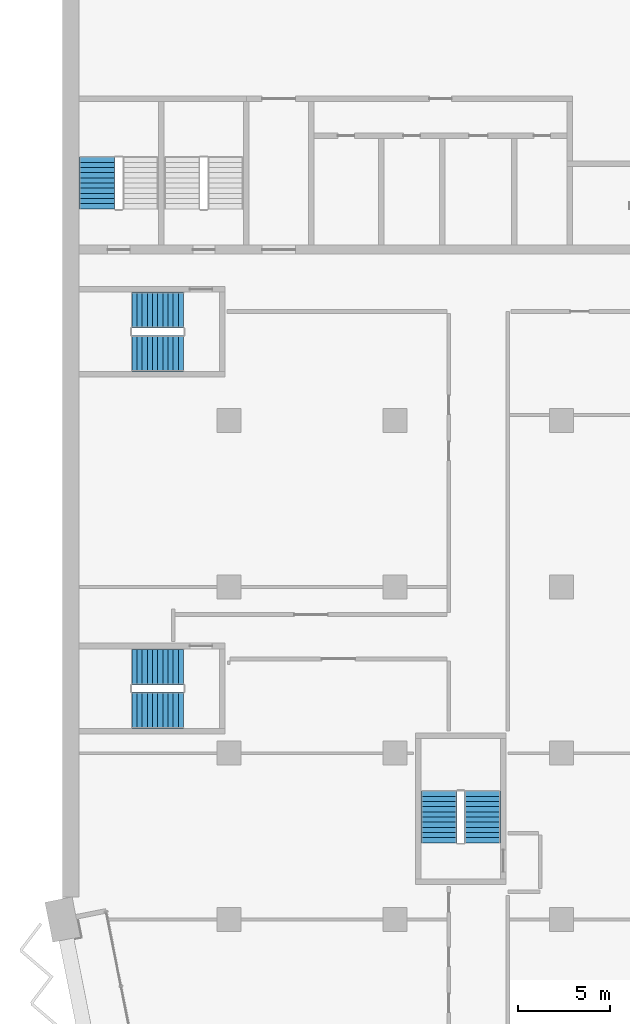
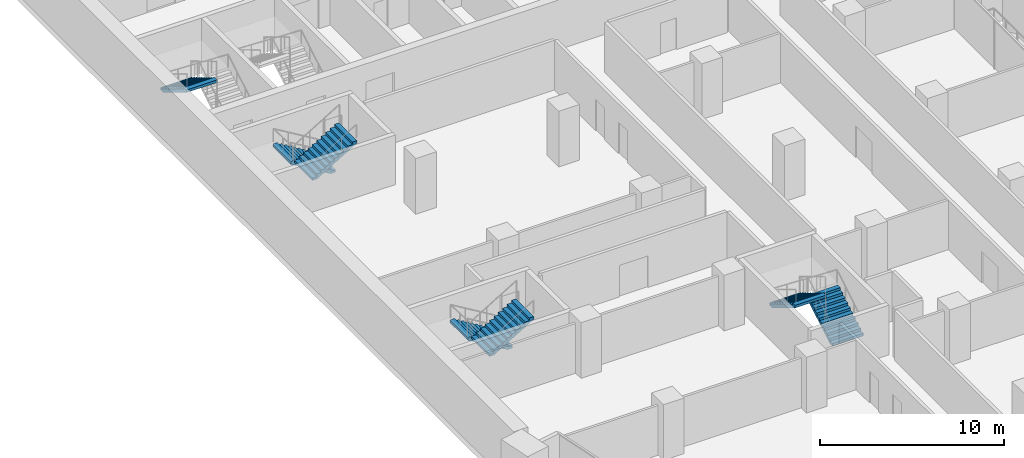
# One storey, part 16 of 23: 7 stair flights, 4 elements without a shape of their own.
"""IFC4 building model written with IfcOpenShell, lengths in metres."""

from ifc_helpers import new_model, si_unit, direction, frame, origin, place, context, subcontext, project, spatial, polyline, outline, extrude, material, type_object, element, aggregate, save


model = new_model("IFC4")

# Units and contexts
model_context = context("Model", 3, precision=1e-05, world=origin(), true_north=direction((0.0, 1.0)))
body_context = subcontext(model_context, "Body", "Model", "MODEL_VIEW")
ifc_project = project(units=[si_unit("LENGTHUNIT", "METRE"), si_unit("AREAUNIT", "SQUARE_METRE"), si_unit("VOLUMEUNIT", "CUBIC_METRE"), si_unit("PLANEANGLEUNIT", "RADIAN"), si_unit("MASSUNIT", "GRAM", prefix="KILO")], contexts=[model_context])

# Site, building, storey
site_placement = place(None, origin())
site = spatial("IfcSite", under=ifc_project, at=site_placement, CompositionType="ELEMENT")
building_placement = place(site_placement, origin())
building = spatial("IfcBuilding", under=site, at=building_placement, Name="Hunhe Ridgeline Campus", CompositionType="ELEMENT")
storey_placement = place(building_placement, frame((0.0, 0.0, 99.60009765625)))
storey = spatial("IfcBuildingStorey", under=building, at=storey_placement, Name="L24", CompositionType="ELEMENT", Elevation=99.60009765625)

# Stair, stair flight
ifc_material = material(Name="Concrete C40", Category="concrete")
stair_type = type_object("IfcStairType", Name="Reinforced concrete dog-leg stair 1950 Concrete C40", PredefinedType="HALF_TURN_STAIR", material=ifc_material)
stair_1_placement = place(storey_placement, origin())
stair_1 = element("IfcStair", 1, at=stair_1_placement, inside=storey, type_object=stair_type, Name="L24 S3", PredefinedType="HALF_TURN_STAIR")
stair_flight_type = type_object("IfcStairFlightType", Name="Reinforced concrete stair flight 1950 Concrete C40", PredefinedType="STRAIGHT", material=ifc_material)
stair_flight_1_placement = place(storey_placement, frame((1.875, 68.25, 1.849853515625), z_axis=(0.0, 0.0, 1.0), x_axis=(0.0, -1.0, 0.0)))
stair_flight_1 = element("IfcStairFlight", 2, at=stair_flight_1_placement, type_object=stair_flight_type, Name="ST3 flight 2", NumberOfRisers=11, NumberOfTreads=10, PredefinedType="STRAIGHT", RiserHeight=0.168181818, TreadLength=0.28, context=body_context, shape_type="SweptSolid", body=[
    extrude(outline(polyline([(0.0, 0.0), (0.0, 0.168212890625), (0.280029296875, 0.168212890625), (0.280029296875, 0.33642578125), (0.56005859375, 0.33642578125), (0.56005859375, 0.504638671875), (0.840087890625, 0.504638671875), (0.840087890625, 0.672607421875), (1.1201171875, 0.672607421875), (1.1201171875, 0.8408203125), (1.39990234375, 0.8408203125), (1.39990234375, 1.009033203125), (1.679931640625, 1.009033203125), (1.679931640625, 1.17724609375), (1.9599609375, 1.17724609375), (1.9599609375, 1.345458984375), (2.239990234375, 1.345458984375), (2.239990234375, 1.513671875), (2.52001953125, 1.513671875), (2.52001953125, 1.681884765625), (2.800048828125, 1.681884765625), (2.800048828125, 1.85009765625), (2.800048828125, 1.5068359375), (0.291015625, 0.0), (0.0, 0.0)])), frame((0.0, 0.97509765625, 0.0), z_axis=(0.0, -1.0, 0.0), x_axis=(1.0, 0.0, 0.0)), (0.0, 0.0, 1.0), 1.949951171875),
    extrude(outline(polyline([(0.030029296875, 0.030029296875), (0.030029296875, 0.13818359375), (0.31005859375, 0.13818359375), (0.31005859375, 0.306396484375), (0.590087890625, 0.306396484375), (0.590087890625, 0.474609375), (0.8701171875, 0.474609375), (0.8701171875, 0.642578125), (1.14990234375, 0.642578125), (1.14990234375, 0.810791015625), (1.429931640625, 0.810791015625), (1.429931640625, 0.97900390625), (1.7099609375, 0.97900390625), (1.7099609375, 1.147216796875), (1.989990234375, 1.147216796875), (1.989990234375, 1.3154296875), (2.27001953125, 1.3154296875), (2.27001953125, 1.483642578125), (2.550048828125, 1.483642578125), (2.550048828125, 1.65185546875), (2.77001953125, 1.65185546875), (2.77001953125, 1.52392578125), (0.28271484375, 0.030029296875), (0.030029296875, 0.030029296875)])), frame((0.0, -0.070068359375, 0.0), z_axis=(0.0, -1.0, 0.0), x_axis=(1.0, 0.0, 0.0)), (0.0, 0.0, 1.0), 0.019775390625),
    extrude(outline(polyline([(0.030029296875, 0.030029296875), (0.030029296875, 0.13818359375), (0.31005859375, 0.13818359375), (0.31005859375, 0.306396484375), (0.590087890625, 0.306396484375), (0.590087890625, 0.474609375), (0.8701171875, 0.474609375), (0.8701171875, 0.642578125), (1.14990234375, 0.642578125), (1.14990234375, 0.810791015625), (1.429931640625, 0.810791015625), (1.429931640625, 0.97900390625), (1.7099609375, 0.97900390625), (1.7099609375, 1.147216796875), (1.989990234375, 1.147216796875), (1.989990234375, 1.3154296875), (2.27001953125, 1.3154296875), (2.27001953125, 1.483642578125), (2.550048828125, 1.483642578125), (2.550048828125, 1.65185546875), (2.77001953125, 1.65185546875), (2.77001953125, 1.52392578125), (0.28271484375, 0.030029296875), (0.030029296875, 0.030029296875)])), frame((0.0, 0.010009765625, 0.0), z_axis=(0.0, -1.0, 0.0), x_axis=(1.0, 0.0, 0.0)), (0.0, 0.0, 1.0), 0.019775390625),
    extrude(outline(polyline([(0.030029296875, 0.030029296875), (0.030029296875, 0.13818359375), (0.31005859375, 0.13818359375), (0.31005859375, 0.306396484375), (0.590087890625, 0.306396484375), (0.590087890625, 0.474609375), (0.8701171875, 0.474609375), (0.8701171875, 0.642578125), (1.14990234375, 0.642578125), (1.14990234375, 0.810791015625), (1.429931640625, 0.810791015625), (1.429931640625, 0.97900390625), (1.7099609375, 0.97900390625), (1.7099609375, 1.147216796875), (1.989990234375, 1.147216796875), (1.989990234375, 1.3154296875), (2.27001953125, 1.3154296875), (2.27001953125, 1.483642578125), (2.550048828125, 1.483642578125), (2.550048828125, 1.65185546875), (2.77001953125, 1.65185546875), (2.77001953125, 1.52392578125), (0.28271484375, 0.030029296875), (0.030029296875, 0.030029296875)])), frame((0.0, 0.090087890625, 0.0), z_axis=(0.0, -1.0, 0.0), x_axis=(1.0, 0.0, 0.0)), (0.0, 0.0, 1.0), 0.019775390625),
])
aggregate(stair_1, [stair_flight_1])

# Stair, stair flights
stair_2_placement = place(storey_placement, origin())
stair_2 = element("IfcStair", 3, at=stair_2_placement, inside=storey, type_object=stair_type, Name="L24 W3", PredefinedType="HALF_TURN_STAIR")
stair_flight_2_placement = place(storey_placement, frame((22.72509765625, 31.14990234375, 0.0), z_axis=(0.0, 0.0, 1.0), x_axis=(0.0, 1.0, 0.0)))
stair_flight_2 = element("IfcStairFlight", 4, at=stair_flight_2_placement, type_object=stair_flight_type, Name="ST9 flight 1", NumberOfRisers=11, NumberOfTreads=10, PredefinedType="STRAIGHT", RiserHeight=0.168181818, TreadLength=0.28, context=body_context, shape_type="SweptSolid", body=[
    extrude(outline(polyline([(0.0, 0.0), (0.0, 0.168212890625), (0.280029296875, 0.168212890625), (0.280029296875, 0.33642578125), (0.56005859375, 0.33642578125), (0.56005859375, 0.504638671875), (0.840087890625, 0.504638671875), (0.840087890625, 0.672607421875), (1.1201171875, 0.672607421875), (1.1201171875, 0.8408203125), (1.39990234375, 0.8408203125), (1.39990234375, 1.009033203125), (1.679931640625, 1.009033203125), (1.679931640625, 1.17724609375), (1.9599609375, 1.17724609375), (1.9599609375, 1.345458984375), (2.239990234375, 1.345458984375), (2.239990234375, 1.513671875), (2.52001953125, 1.513671875), (2.52001953125, 1.681884765625), (2.800048828125, 1.681884765625), (2.800048828125, 1.85009765625), (2.800048828125, 1.5068359375), (0.291015625, 0.0), (0.0, 0.0)])), frame((0.0, 0.97509765625, 0.0), z_axis=(0.0, -1.0, 0.0), x_axis=(1.0, 0.0, 0.0)), (0.0, 0.0, 1.0), 1.949951171875),
    extrude(outline(polyline([(0.030029296875, 0.030029296875), (0.030029296875, 0.13818359375), (0.31005859375, 0.13818359375), (0.31005859375, 0.306396484375), (0.590087890625, 0.306396484375), (0.590087890625, 0.474609375), (0.8701171875, 0.474609375), (0.8701171875, 0.642578125), (1.14990234375, 0.642578125), (1.14990234375, 0.810791015625), (1.429931640625, 0.810791015625), (1.429931640625, 0.97900390625), (1.7099609375, 0.97900390625), (1.7099609375, 1.147216796875), (1.989990234375, 1.147216796875), (1.989990234375, 1.3154296875), (2.27001953125, 1.3154296875), (2.27001953125, 1.483642578125), (2.550048828125, 1.483642578125), (2.550048828125, 1.65185546875), (2.77001953125, 1.65185546875), (2.77001953125, 1.52392578125), (0.28271484375, 0.030029296875), (0.030029296875, 0.030029296875)])), frame((0.0, -0.070068359375, 0.0), z_axis=(0.0, -1.0, 0.0), x_axis=(1.0, 0.0, 0.0)), (0.0, 0.0, 1.0), 0.019775390625),
    extrude(outline(polyline([(0.030029296875, 0.030029296875), (0.030029296875, 0.13818359375), (0.31005859375, 0.13818359375), (0.31005859375, 0.306396484375), (0.590087890625, 0.306396484375), (0.590087890625, 0.474609375), (0.8701171875, 0.474609375), (0.8701171875, 0.642578125), (1.14990234375, 0.642578125), (1.14990234375, 0.810791015625), (1.429931640625, 0.810791015625), (1.429931640625, 0.97900390625), (1.7099609375, 0.97900390625), (1.7099609375, 1.147216796875), (1.989990234375, 1.147216796875), (1.989990234375, 1.3154296875), (2.27001953125, 1.3154296875), (2.27001953125, 1.483642578125), (2.550048828125, 1.483642578125), (2.550048828125, 1.65185546875), (2.77001953125, 1.65185546875), (2.77001953125, 1.52392578125), (0.28271484375, 0.030029296875), (0.030029296875, 0.030029296875)])), frame((0.0, 0.010009765625, 0.0), z_axis=(0.0, -1.0, 0.0), x_axis=(1.0, 0.0, 0.0)), (0.0, 0.0, 1.0), 0.019775390625),
    extrude(outline(polyline([(0.030029296875, 0.030029296875), (0.030029296875, 0.13818359375), (0.31005859375, 0.13818359375), (0.31005859375, 0.306396484375), (0.590087890625, 0.306396484375), (0.590087890625, 0.474609375), (0.8701171875, 0.474609375), (0.8701171875, 0.642578125), (1.14990234375, 0.642578125), (1.14990234375, 0.810791015625), (1.429931640625, 0.810791015625), (1.429931640625, 0.97900390625), (1.7099609375, 0.97900390625), (1.7099609375, 1.147216796875), (1.989990234375, 1.147216796875), (1.989990234375, 1.3154296875), (2.27001953125, 1.3154296875), (2.27001953125, 1.483642578125), (2.550048828125, 1.483642578125), (2.550048828125, 1.65185546875), (2.77001953125, 1.65185546875), (2.77001953125, 1.52392578125), (0.28271484375, 0.030029296875), (0.030029296875, 0.030029296875)])), frame((0.0, 0.090087890625, 0.0), z_axis=(0.0, -1.0, 0.0), x_axis=(1.0, 0.0, 0.0)), (0.0, 0.0, 1.0), 0.019775390625),
])
stair_flight_3_placement = place(storey_placement, frame((20.375, 33.949951171875, 1.849853515625), z_axis=(0.0, 0.0, 1.0), x_axis=(0.0, -1.0, 0.0)))
stair_flight_3 = element("IfcStairFlight", 5, at=stair_flight_3_placement, type_object=stair_flight_type, Name="ST9 flight 2", NumberOfRisers=11, NumberOfTreads=10, PredefinedType="STRAIGHT", RiserHeight=0.168181818, TreadLength=0.28, context=body_context, shape_type="SweptSolid", body=[
    extrude(outline(polyline([(0.0, 0.0), (0.0, 0.168212890625), (0.280029296875, 0.168212890625), (0.280029296875, 0.33642578125), (0.56005859375, 0.33642578125), (0.56005859375, 0.504638671875), (0.840087890625, 0.504638671875), (0.840087890625, 0.672607421875), (1.1201171875, 0.672607421875), (1.1201171875, 0.8408203125), (1.39990234375, 0.8408203125), (1.39990234375, 1.009033203125), (1.679931640625, 1.009033203125), (1.679931640625, 1.17724609375), (1.9599609375, 1.17724609375), (1.9599609375, 1.345458984375), (2.239990234375, 1.345458984375), (2.239990234375, 1.513671875), (2.52001953125, 1.513671875), (2.52001953125, 1.681884765625), (2.800048828125, 1.681884765625), (2.800048828125, 1.85009765625), (2.800048828125, 1.5068359375), (0.291015625, 0.0), (0.0, 0.0)])), frame((0.0, 0.97509765625, 0.0), z_axis=(0.0, -1.0, 0.0), x_axis=(1.0, 0.0, 0.0)), (0.0, 0.0, 1.0), 1.949951171875),
    extrude(outline(polyline([(0.030029296875, 0.030029296875), (0.030029296875, 0.13818359375), (0.31005859375, 0.13818359375), (0.31005859375, 0.306396484375), (0.590087890625, 0.306396484375), (0.590087890625, 0.474609375), (0.8701171875, 0.474609375), (0.8701171875, 0.642578125), (1.14990234375, 0.642578125), (1.14990234375, 0.810791015625), (1.429931640625, 0.810791015625), (1.429931640625, 0.97900390625), (1.7099609375, 0.97900390625), (1.7099609375, 1.147216796875), (1.989990234375, 1.147216796875), (1.989990234375, 1.3154296875), (2.27001953125, 1.3154296875), (2.27001953125, 1.483642578125), (2.550048828125, 1.483642578125), (2.550048828125, 1.65185546875), (2.77001953125, 1.65185546875), (2.77001953125, 1.52392578125), (0.28271484375, 0.030029296875), (0.030029296875, 0.030029296875)])), frame((0.0, -0.070068359375, 0.0), z_axis=(0.0, -1.0, 0.0), x_axis=(1.0, 0.0, 0.0)), (0.0, 0.0, 1.0), 0.019775390625),
    extrude(outline(polyline([(0.030029296875, 0.030029296875), (0.030029296875, 0.13818359375), (0.31005859375, 0.13818359375), (0.31005859375, 0.306396484375), (0.590087890625, 0.306396484375), (0.590087890625, 0.474609375), (0.8701171875, 0.474609375), (0.8701171875, 0.642578125), (1.14990234375, 0.642578125), (1.14990234375, 0.810791015625), (1.429931640625, 0.810791015625), (1.429931640625, 0.97900390625), (1.7099609375, 0.97900390625), (1.7099609375, 1.147216796875), (1.989990234375, 1.147216796875), (1.989990234375, 1.3154296875), (2.27001953125, 1.3154296875), (2.27001953125, 1.483642578125), (2.550048828125, 1.483642578125), (2.550048828125, 1.65185546875), (2.77001953125, 1.65185546875), (2.77001953125, 1.52392578125), (0.28271484375, 0.030029296875), (0.030029296875, 0.030029296875)])), frame((0.0, 0.010009765625, 0.0), z_axis=(0.0, -1.0, 0.0), x_axis=(1.0, 0.0, 0.0)), (0.0, 0.0, 1.0), 0.019775390625),
    extrude(outline(polyline([(0.030029296875, 0.030029296875), (0.030029296875, 0.13818359375), (0.31005859375, 0.13818359375), (0.31005859375, 0.306396484375), (0.590087890625, 0.306396484375), (0.590087890625, 0.474609375), (0.8701171875, 0.474609375), (0.8701171875, 0.642578125), (1.14990234375, 0.642578125), (1.14990234375, 0.810791015625), (1.429931640625, 0.810791015625), (1.429931640625, 0.97900390625), (1.7099609375, 0.97900390625), (1.7099609375, 1.147216796875), (1.989990234375, 1.147216796875), (1.989990234375, 1.3154296875), (2.27001953125, 1.3154296875), (2.27001953125, 1.483642578125), (2.550048828125, 1.483642578125), (2.550048828125, 1.65185546875), (2.77001953125, 1.65185546875), (2.77001953125, 1.52392578125), (0.28271484375, 0.030029296875), (0.030029296875, 0.030029296875)])), frame((0.0, 0.090087890625, 0.0), z_axis=(0.0, -1.0, 0.0), x_axis=(1.0, 0.0, 0.0)), (0.0, 0.0, 1.0), 0.019775390625),
])
aggregate(stair_2, [stair_flight_2, stair_flight_3])

stair_3_placement = place(storey_placement, origin())
stair_3 = element("IfcStair", 6, at=stair_3_placement, inside=storey, type_object=stair_type, Name="L24 W1", PredefinedType="HALF_TURN_STAIR")
stair_flight_4_placement = place(storey_placement, frame((6.550048828125, 40.675048828125, 0.0), z_axis=(0.0, 0.0, 1.0), x_axis=(-1.0, 0.0, 0.0)))
stair_flight_4 = element("IfcStairFlight", 7, at=stair_flight_4_placement, type_object=stair_flight_type, Name="ST11 flight 1", NumberOfRisers=11, NumberOfTreads=10, PredefinedType="STRAIGHT", RiserHeight=0.168181818, TreadLength=0.28, context=body_context, shape_type="SweptSolid", body=[
    extrude(outline(polyline([(0.0, 0.0), (0.0, 0.168212890625), (0.280029296875, 0.168212890625), (0.280029296875, 0.33642578125), (0.56005859375, 0.33642578125), (0.56005859375, 0.504638671875), (0.840087890625, 0.504638671875), (0.840087890625, 0.672607421875), (1.1201171875, 0.672607421875), (1.1201171875, 0.8408203125), (1.39990234375, 0.8408203125), (1.39990234375, 1.009033203125), (1.679931640625, 1.009033203125), (1.679931640625, 1.17724609375), (1.9599609375, 1.17724609375), (1.9599609375, 1.345458984375), (2.239990234375, 1.345458984375), (2.239990234375, 1.513671875), (2.52001953125, 1.513671875), (2.52001953125, 1.681884765625), (2.800048828125, 1.681884765625), (2.800048828125, 1.85009765625), (2.800048828125, 1.5068359375), (0.291015625, 0.0), (0.0, 0.0)])), frame((0.0, 0.97509765625, 0.0), z_axis=(0.0, -1.0, 0.0), x_axis=(1.0, 0.0, 0.0)), (0.0, 0.0, 1.0), 1.949951171875),
    extrude(outline(polyline([(0.030029296875, 0.030029296875), (0.030029296875, 0.13818359375), (0.31005859375, 0.13818359375), (0.31005859375, 0.306396484375), (0.590087890625, 0.306396484375), (0.590087890625, 0.474609375), (0.8701171875, 0.474609375), (0.8701171875, 0.642578125), (1.14990234375, 0.642578125), (1.14990234375, 0.810791015625), (1.429931640625, 0.810791015625), (1.429931640625, 0.97900390625), (1.7099609375, 0.97900390625), (1.7099609375, 1.147216796875), (1.989990234375, 1.147216796875), (1.989990234375, 1.3154296875), (2.27001953125, 1.3154296875), (2.27001953125, 1.483642578125), (2.550048828125, 1.483642578125), (2.550048828125, 1.65185546875), (2.77001953125, 1.65185546875), (2.77001953125, 1.52392578125), (0.28271484375, 0.030029296875), (0.030029296875, 0.030029296875)])), frame((0.0, -0.070068359375, 0.0), z_axis=(0.0, -1.0, 0.0), x_axis=(1.0, 0.0, 0.0)), (0.0, 0.0, 1.0), 0.019775390625),
    extrude(outline(polyline([(0.030029296875, 0.030029296875), (0.030029296875, 0.13818359375), (0.31005859375, 0.13818359375), (0.31005859375, 0.306396484375), (0.590087890625, 0.306396484375), (0.590087890625, 0.474609375), (0.8701171875, 0.474609375), (0.8701171875, 0.642578125), (1.14990234375, 0.642578125), (1.14990234375, 0.810791015625), (1.429931640625, 0.810791015625), (1.429931640625, 0.97900390625), (1.7099609375, 0.97900390625), (1.7099609375, 1.147216796875), (1.989990234375, 1.147216796875), (1.989990234375, 1.3154296875), (2.27001953125, 1.3154296875), (2.27001953125, 1.483642578125), (2.550048828125, 1.483642578125), (2.550048828125, 1.65185546875), (2.77001953125, 1.65185546875), (2.77001953125, 1.52392578125), (0.28271484375, 0.030029296875), (0.030029296875, 0.030029296875)])), frame((0.0, 0.010009765625, 0.0), z_axis=(0.0, -1.0, 0.0), x_axis=(1.0, 0.0, 0.0)), (0.0, 0.0, 1.0), 0.019775390625),
    extrude(outline(polyline([(0.030029296875, 0.030029296875), (0.030029296875, 0.13818359375), (0.31005859375, 0.13818359375), (0.31005859375, 0.306396484375), (0.590087890625, 0.306396484375), (0.590087890625, 0.474609375), (0.8701171875, 0.474609375), (0.8701171875, 0.642578125), (1.14990234375, 0.642578125), (1.14990234375, 0.810791015625), (1.429931640625, 0.810791015625), (1.429931640625, 0.97900390625), (1.7099609375, 0.97900390625), (1.7099609375, 1.147216796875), (1.989990234375, 1.147216796875), (1.989990234375, 1.3154296875), (2.27001953125, 1.3154296875), (2.27001953125, 1.483642578125), (2.550048828125, 1.483642578125), (2.550048828125, 1.65185546875), (2.77001953125, 1.65185546875), (2.77001953125, 1.52392578125), (0.28271484375, 0.030029296875), (0.030029296875, 0.030029296875)])), frame((0.0, 0.090087890625, 0.0), z_axis=(0.0, -1.0, 0.0), x_axis=(1.0, 0.0, 0.0)), (0.0, 0.0, 1.0), 0.019775390625),
])
stair_flight_5_placement = place(storey_placement, frame((3.75, 38.324951171875, 1.849853515625), z_axis=(0.0, 0.0, 1.0), x_axis=(1.0, 0.0, 0.0)))
stair_flight_5 = element("IfcStairFlight", 8, at=stair_flight_5_placement, type_object=stair_flight_type, Name="ST11 flight 2", NumberOfRisers=11, NumberOfTreads=10, PredefinedType="STRAIGHT", RiserHeight=0.168181818, TreadLength=0.28, context=body_context, shape_type="SweptSolid", body=[
    extrude(outline(polyline([(0.0, 0.0), (0.0, 0.168212890625), (0.280029296875, 0.168212890625), (0.280029296875, 0.33642578125), (0.56005859375, 0.33642578125), (0.56005859375, 0.504638671875), (0.840087890625, 0.504638671875), (0.840087890625, 0.672607421875), (1.1201171875, 0.672607421875), (1.1201171875, 0.8408203125), (1.39990234375, 0.8408203125), (1.39990234375, 1.009033203125), (1.679931640625, 1.009033203125), (1.679931640625, 1.17724609375), (1.9599609375, 1.17724609375), (1.9599609375, 1.345458984375), (2.239990234375, 1.345458984375), (2.239990234375, 1.513671875), (2.52001953125, 1.513671875), (2.52001953125, 1.681884765625), (2.800048828125, 1.681884765625), (2.800048828125, 1.85009765625), (2.800048828125, 1.5068359375), (0.291015625, 0.0), (0.0, 0.0)])), frame((0.0, 0.97509765625, 0.0), z_axis=(0.0, -1.0, 0.0), x_axis=(1.0, 0.0, 0.0)), (0.0, 0.0, 1.0), 1.949951171875),
    extrude(outline(polyline([(0.030029296875, 0.030029296875), (0.030029296875, 0.13818359375), (0.31005859375, 0.13818359375), (0.31005859375, 0.306396484375), (0.590087890625, 0.306396484375), (0.590087890625, 0.474609375), (0.8701171875, 0.474609375), (0.8701171875, 0.642578125), (1.14990234375, 0.642578125), (1.14990234375, 0.810791015625), (1.429931640625, 0.810791015625), (1.429931640625, 0.97900390625), (1.7099609375, 0.97900390625), (1.7099609375, 1.147216796875), (1.989990234375, 1.147216796875), (1.989990234375, 1.3154296875), (2.27001953125, 1.3154296875), (2.27001953125, 1.483642578125), (2.550048828125, 1.483642578125), (2.550048828125, 1.65185546875), (2.77001953125, 1.65185546875), (2.77001953125, 1.52392578125), (0.28271484375, 0.030029296875), (0.030029296875, 0.030029296875)])), frame((0.0, -0.070068359375, 0.0), z_axis=(0.0, -1.0, 0.0), x_axis=(1.0, 0.0, 0.0)), (0.0, 0.0, 1.0), 0.019775390625),
    extrude(outline(polyline([(0.030029296875, 0.030029296875), (0.030029296875, 0.13818359375), (0.31005859375, 0.13818359375), (0.31005859375, 0.306396484375), (0.590087890625, 0.306396484375), (0.590087890625, 0.474609375), (0.8701171875, 0.474609375), (0.8701171875, 0.642578125), (1.14990234375, 0.642578125), (1.14990234375, 0.810791015625), (1.429931640625, 0.810791015625), (1.429931640625, 0.97900390625), (1.7099609375, 0.97900390625), (1.7099609375, 1.147216796875), (1.989990234375, 1.147216796875), (1.989990234375, 1.3154296875), (2.27001953125, 1.3154296875), (2.27001953125, 1.483642578125), (2.550048828125, 1.483642578125), (2.550048828125, 1.65185546875), (2.77001953125, 1.65185546875), (2.77001953125, 1.52392578125), (0.28271484375, 0.030029296875), (0.030029296875, 0.030029296875)])), frame((0.0, 0.010009765625, 0.0), z_axis=(0.0, -1.0, 0.0), x_axis=(1.0, 0.0, 0.0)), (0.0, 0.0, 1.0), 0.019775390625),
    extrude(outline(polyline([(0.030029296875, 0.030029296875), (0.030029296875, 0.13818359375), (0.31005859375, 0.13818359375), (0.31005859375, 0.306396484375), (0.590087890625, 0.306396484375), (0.590087890625, 0.474609375), (0.8701171875, 0.474609375), (0.8701171875, 0.642578125), (1.14990234375, 0.642578125), (1.14990234375, 0.810791015625), (1.429931640625, 0.810791015625), (1.429931640625, 0.97900390625), (1.7099609375, 0.97900390625), (1.7099609375, 1.147216796875), (1.989990234375, 1.147216796875), (1.989990234375, 1.3154296875), (2.27001953125, 1.3154296875), (2.27001953125, 1.483642578125), (2.550048828125, 1.483642578125), (2.550048828125, 1.65185546875), (2.77001953125, 1.65185546875), (2.77001953125, 1.52392578125), (0.28271484375, 0.030029296875), (0.030029296875, 0.030029296875)])), frame((0.0, 0.090087890625, 0.0), z_axis=(0.0, -1.0, 0.0), x_axis=(1.0, 0.0, 0.0)), (0.0, 0.0, 1.0), 0.019775390625),
])
aggregate(stair_3, [stair_flight_4, stair_flight_5])

stair_4_placement = place(storey_placement, origin())
stair_4 = element("IfcStair", 9, at=stair_4_placement, inside=storey, type_object=stair_type, Name="L24 W2", PredefinedType="HALF_TURN_STAIR")
stair_flight_6_placement = place(storey_placement, frame((6.550048828125, 59.97509765625, 0.0), z_axis=(0.0, 0.0, 1.0), x_axis=(-1.0, 0.0, 0.0)))
stair_flight_6 = element("IfcStairFlight", 10, at=stair_flight_6_placement, type_object=stair_flight_type, Name="ST12 flight 1", NumberOfRisers=11, NumberOfTreads=10, PredefinedType="STRAIGHT", RiserHeight=0.168181818, TreadLength=0.28, context=body_context, shape_type="SweptSolid", body=[
    extrude(outline(polyline([(0.0, 0.0), (0.0, 0.168212890625), (0.280029296875, 0.168212890625), (0.280029296875, 0.33642578125), (0.56005859375, 0.33642578125), (0.56005859375, 0.504638671875), (0.840087890625, 0.504638671875), (0.840087890625, 0.672607421875), (1.1201171875, 0.672607421875), (1.1201171875, 0.8408203125), (1.39990234375, 0.8408203125), (1.39990234375, 1.009033203125), (1.679931640625, 1.009033203125), (1.679931640625, 1.17724609375), (1.9599609375, 1.17724609375), (1.9599609375, 1.345458984375), (2.239990234375, 1.345458984375), (2.239990234375, 1.513671875), (2.52001953125, 1.513671875), (2.52001953125, 1.681884765625), (2.800048828125, 1.681884765625), (2.800048828125, 1.85009765625), (2.800048828125, 1.5068359375), (0.291015625, 0.0), (0.0, 0.0)])), frame((0.0, 0.97509765625, 0.0), z_axis=(0.0, -1.0, 0.0), x_axis=(1.0, 0.0, 0.0)), (0.0, 0.0, 1.0), 1.949951171875),
    extrude(outline(polyline([(0.030029296875, 0.030029296875), (0.030029296875, 0.13818359375), (0.31005859375, 0.13818359375), (0.31005859375, 0.306396484375), (0.590087890625, 0.306396484375), (0.590087890625, 0.474609375), (0.8701171875, 0.474609375), (0.8701171875, 0.642578125), (1.14990234375, 0.642578125), (1.14990234375, 0.810791015625), (1.429931640625, 0.810791015625), (1.429931640625, 0.97900390625), (1.7099609375, 0.97900390625), (1.7099609375, 1.147216796875), (1.989990234375, 1.147216796875), (1.989990234375, 1.3154296875), (2.27001953125, 1.3154296875), (2.27001953125, 1.483642578125), (2.550048828125, 1.483642578125), (2.550048828125, 1.65185546875), (2.77001953125, 1.65185546875), (2.77001953125, 1.52392578125), (0.28271484375, 0.030029296875), (0.030029296875, 0.030029296875)])), frame((0.0, -0.070068359375, 0.0), z_axis=(0.0, -1.0, 0.0), x_axis=(1.0, 0.0, 0.0)), (0.0, 0.0, 1.0), 0.019775390625),
    extrude(outline(polyline([(0.030029296875, 0.030029296875), (0.030029296875, 0.13818359375), (0.31005859375, 0.13818359375), (0.31005859375, 0.306396484375), (0.590087890625, 0.306396484375), (0.590087890625, 0.474609375), (0.8701171875, 0.474609375), (0.8701171875, 0.642578125), (1.14990234375, 0.642578125), (1.14990234375, 0.810791015625), (1.429931640625, 0.810791015625), (1.429931640625, 0.97900390625), (1.7099609375, 0.97900390625), (1.7099609375, 1.147216796875), (1.989990234375, 1.147216796875), (1.989990234375, 1.3154296875), (2.27001953125, 1.3154296875), (2.27001953125, 1.483642578125), (2.550048828125, 1.483642578125), (2.550048828125, 1.65185546875), (2.77001953125, 1.65185546875), (2.77001953125, 1.52392578125), (0.28271484375, 0.030029296875), (0.030029296875, 0.030029296875)])), frame((0.0, 0.010009765625, 0.0), z_axis=(0.0, -1.0, 0.0), x_axis=(1.0, 0.0, 0.0)), (0.0, 0.0, 1.0), 0.019775390625),
    extrude(outline(polyline([(0.030029296875, 0.030029296875), (0.030029296875, 0.13818359375), (0.31005859375, 0.13818359375), (0.31005859375, 0.306396484375), (0.590087890625, 0.306396484375), (0.590087890625, 0.474609375), (0.8701171875, 0.474609375), (0.8701171875, 0.642578125), (1.14990234375, 0.642578125), (1.14990234375, 0.810791015625), (1.429931640625, 0.810791015625), (1.429931640625, 0.97900390625), (1.7099609375, 0.97900390625), (1.7099609375, 1.147216796875), (1.989990234375, 1.147216796875), (1.989990234375, 1.3154296875), (2.27001953125, 1.3154296875), (2.27001953125, 1.483642578125), (2.550048828125, 1.483642578125), (2.550048828125, 1.65185546875), (2.77001953125, 1.65185546875), (2.77001953125, 1.52392578125), (0.28271484375, 0.030029296875), (0.030029296875, 0.030029296875)])), frame((0.0, 0.090087890625, 0.0), z_axis=(0.0, -1.0, 0.0), x_axis=(1.0, 0.0, 0.0)), (0.0, 0.0, 1.0), 0.019775390625),
])
stair_flight_7_placement = place(storey_placement, frame((3.75, 57.625, 1.849853515625), z_axis=(0.0, 0.0, 1.0), x_axis=(1.0, 0.0, 0.0)))
stair_flight_7 = element("IfcStairFlight", 11, at=stair_flight_7_placement, type_object=stair_flight_type, Name="ST12 flight 2", NumberOfRisers=11, NumberOfTreads=10, PredefinedType="STRAIGHT", RiserHeight=0.168181818, TreadLength=0.28, context=body_context, shape_type="SweptSolid", body=[
    extrude(outline(polyline([(0.0, 0.0), (0.0, 0.168212890625), (0.280029296875, 0.168212890625), (0.280029296875, 0.33642578125), (0.56005859375, 0.33642578125), (0.56005859375, 0.504638671875), (0.840087890625, 0.504638671875), (0.840087890625, 0.672607421875), (1.1201171875, 0.672607421875), (1.1201171875, 0.8408203125), (1.39990234375, 0.8408203125), (1.39990234375, 1.009033203125), (1.679931640625, 1.009033203125), (1.679931640625, 1.17724609375), (1.9599609375, 1.17724609375), (1.9599609375, 1.345458984375), (2.239990234375, 1.345458984375), (2.239990234375, 1.513671875), (2.52001953125, 1.513671875), (2.52001953125, 1.681884765625), (2.800048828125, 1.681884765625), (2.800048828125, 1.85009765625), (2.800048828125, 1.5068359375), (0.291015625, 0.0), (0.0, 0.0)])), frame((0.0, 0.97509765625, 0.0), z_axis=(0.0, -1.0, 0.0), x_axis=(1.0, 0.0, 0.0)), (0.0, 0.0, 1.0), 1.949951171875),
    extrude(outline(polyline([(0.030029296875, 0.030029296875), (0.030029296875, 0.13818359375), (0.31005859375, 0.13818359375), (0.31005859375, 0.306396484375), (0.590087890625, 0.306396484375), (0.590087890625, 0.474609375), (0.8701171875, 0.474609375), (0.8701171875, 0.642578125), (1.14990234375, 0.642578125), (1.14990234375, 0.810791015625), (1.429931640625, 0.810791015625), (1.429931640625, 0.97900390625), (1.7099609375, 0.97900390625), (1.7099609375, 1.147216796875), (1.989990234375, 1.147216796875), (1.989990234375, 1.3154296875), (2.27001953125, 1.3154296875), (2.27001953125, 1.483642578125), (2.550048828125, 1.483642578125), (2.550048828125, 1.65185546875), (2.77001953125, 1.65185546875), (2.77001953125, 1.52392578125), (0.28271484375, 0.030029296875), (0.030029296875, 0.030029296875)])), frame((0.0, -0.070068359375, 0.0), z_axis=(0.0, -1.0, 0.0), x_axis=(1.0, 0.0, 0.0)), (0.0, 0.0, 1.0), 0.019775390625),
    extrude(outline(polyline([(0.030029296875, 0.030029296875), (0.030029296875, 0.13818359375), (0.31005859375, 0.13818359375), (0.31005859375, 0.306396484375), (0.590087890625, 0.306396484375), (0.590087890625, 0.474609375), (0.8701171875, 0.474609375), (0.8701171875, 0.642578125), (1.14990234375, 0.642578125), (1.14990234375, 0.810791015625), (1.429931640625, 0.810791015625), (1.429931640625, 0.97900390625), (1.7099609375, 0.97900390625), (1.7099609375, 1.147216796875), (1.989990234375, 1.147216796875), (1.989990234375, 1.3154296875), (2.27001953125, 1.3154296875), (2.27001953125, 1.483642578125), (2.550048828125, 1.483642578125), (2.550048828125, 1.65185546875), (2.77001953125, 1.65185546875), (2.77001953125, 1.52392578125), (0.28271484375, 0.030029296875), (0.030029296875, 0.030029296875)])), frame((0.0, 0.010009765625, 0.0), z_axis=(0.0, -1.0, 0.0), x_axis=(1.0, 0.0, 0.0)), (0.0, 0.0, 1.0), 0.019775390625),
    extrude(outline(polyline([(0.030029296875, 0.030029296875), (0.030029296875, 0.13818359375), (0.31005859375, 0.13818359375), (0.31005859375, 0.306396484375), (0.590087890625, 0.306396484375), (0.590087890625, 0.474609375), (0.8701171875, 0.474609375), (0.8701171875, 0.642578125), (1.14990234375, 0.642578125), (1.14990234375, 0.810791015625), (1.429931640625, 0.810791015625), (1.429931640625, 0.97900390625), (1.7099609375, 0.97900390625), (1.7099609375, 1.147216796875), (1.989990234375, 1.147216796875), (1.989990234375, 1.3154296875), (2.27001953125, 1.3154296875), (2.27001953125, 1.483642578125), (2.550048828125, 1.483642578125), (2.550048828125, 1.65185546875), (2.77001953125, 1.65185546875), (2.77001953125, 1.52392578125), (0.28271484375, 0.030029296875), (0.030029296875, 0.030029296875)])), frame((0.0, 0.090087890625, 0.0), z_axis=(0.0, -1.0, 0.0), x_axis=(1.0, 0.0, 0.0)), (0.0, 0.0, 1.0), 0.019775390625),
])
aggregate(stair_4, [stair_flight_6, stair_flight_7])

save(model, "model.ifc")
